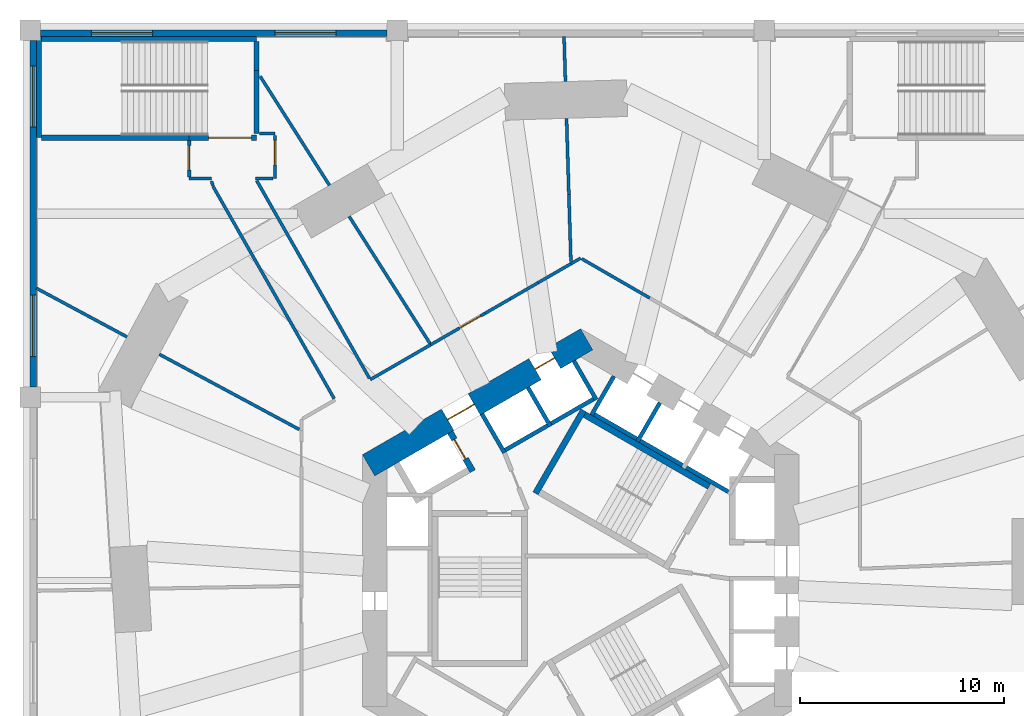
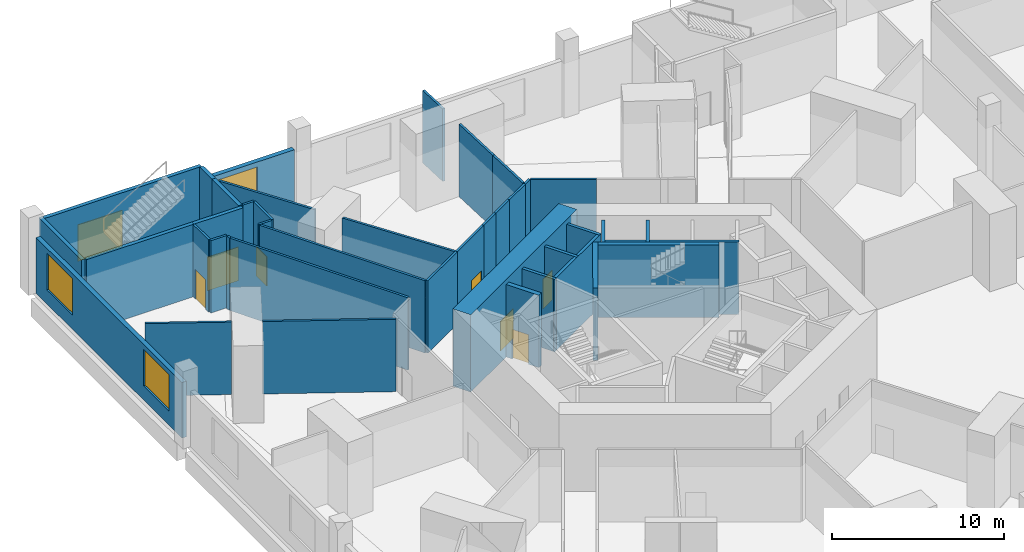
# One storey, part 8 of 16: 41 walls, 7 doors, 4 windows, 11 openings.
"""IFC4 building model written with IfcOpenShell, lengths in metres."""

from ifc_helpers import new_model, si_unit, direction, frame, frame_2d, origin, place, context, subcontext, project, spatial, rectangle, extrude, material, layer, layer_set, type_object, element, fill, save


model = new_model("IFC4")

# Units and contexts
model_context = context("Model", 3, precision=1e-05, world=origin(), true_north=direction((0.0, 1.0)))
body_context = subcontext(model_context, "Body", "Model", "MODEL_VIEW")
ifc_project = project(units=[si_unit("LENGTHUNIT", "METRE"), si_unit("AREAUNIT", "SQUARE_METRE"), si_unit("VOLUMEUNIT", "CUBIC_METRE"), si_unit("PLANEANGLEUNIT", "RADIAN"), si_unit("MASSUNIT", "GRAM", prefix="KILO")], contexts=[model_context])

# Site, building, storey
site_placement = place(None, origin())
site = spatial("IfcSite", under=ifc_project, at=site_placement, CompositionType="ELEMENT")
building_placement = place(site_placement, origin())
building = spatial("IfcBuilding", under=site, at=building_placement, Name="Vanh Sen Convention Tower", CompositionType="ELEMENT")
storey_placement = place(building_placement, frame((0.0, 0.0, 29.0)))
storey = spatial("IfcBuildingStorey", under=building, at=storey_placement, Name="L04", CompositionType="ELEMENT", Elevation=29.0)

# Wall
ifc_material_1 = material(Name="Concrete C40/50", Category="concrete")
ifc_layer_1 = layer(ifc_material_1, 0.25)
ifc_layer_set_1 = layer_set([ifc_layer_1], Name="Concrete C40/50")
wall_type_1 = type_object("IfcWallType", Name="Concrete wall 250 REI 180", PredefinedType="SOLIDWALL", material=ifc_layer_set_1)
wall_1_placement = place(storey_placement, frame((-19.199951171875, 21.72509765625, 0.0), z_axis=(0.0, 0.0, 1.0), x_axis=(-1.0, 0.0, 0.0)))
element("IfcWall", 1, at=wall_1_placement, inside=storey, type_object=wall_type_1, Name="Fire-resisting wall L04-106", PredefinedType="SOLIDWALL", context=body_context, shape_type="SweptSolid", body=[
    extrude(rectangle(XDim=7.239990234375, YDim=0.25, at=frame_2d((3.6201171875, 0.0))), origin(), (0.0, 0.0, 1.0), 5.14990234375),
])

# Wall, opening, door
wall_2_placement = place(storey_placement, frame((-15.89990234375, 21.72509765625, 0.0), z_axis=(0.0, 0.0, 1.0), x_axis=(-1.0, 0.0, 0.0)))
wall_2 = element("IfcWall", 2, at=wall_2_placement, inside=storey, type_object=wall_type_1, Name="Fire-resisting wall L04-107", PredefinedType="SOLIDWALL", context=body_context, shape_type="SweptSolid", body=[
    extrude(rectangle(XDim=3.300048828125, YDim=0.25, at=frame_2d((1.64990234375, 0.0))), origin(), (0.0, 0.0, 1.0), 5.14990234375),
])
opening_1_placement = place(wall_2_placement, frame((0.25, 0.0, 0.0)))
opening_1 = element("IfcOpeningElement", 3, at=opening_1_placement, cuts=wall_2, Name="Opening D04124", PredefinedType="OPENING", context=body_context, shape_type="SweptSolid", body=[
    extrude(rectangle(XDim=2.10009765625, YDim=2.39990234375, at=frame_2d((1.050048828125, 1.199951171875))), frame((0.0, 0.135009765625, 0.0), z_axis=(0.0, -1.0, 0.0), x_axis=(1.0, 0.0, 0.0)), (0.0, 0.0, 1.0), 0.27001953125),
])
ifc_material_2 = material(Name="Steel S355", Category="steel")
door_type_1 = type_object("IfcDoorType", Name="Stair door 2100 EI 60", OperationType="DOUBLE_DOOR_SINGLE_SWING", PredefinedType="DOOR", material=ifc_material_2)
door_1_placement = place(opening_1_placement, frame((2.10009765625, 0.0, 0.0), z_axis=(0.0, 0.0, 1.0), x_axis=(-1.0, 0.0, 0.0)))
door_1 = element("IfcDoor", 4, at=door_1_placement, inside=storey, type_object=door_type_1, Name="Stair door D04124", OperationType="DOUBLE_DOOR_SINGLE_SWING", OverallHeight=2.39990234375, OverallWidth=2.10009765625, PredefinedType="DOOR", context=body_context, shape_type="SweptSolid", body=[
    extrude(rectangle(XDim=2.10009765625, YDim=2.39990234375, at=frame_2d((1.050048828125, 1.199951171875))), frame((0.0, 0.02490234375, 0.0), z_axis=(0.0, -1.0, 0.0), x_axis=(1.0, 0.0, 0.0)), (0.0, 0.0, 1.0), 0.050048828125),
])
fill(opening_1, door_1)

# Walls
wall_3_placement = place(storey_placement, frame((-15.89990234375, 25.021484375, 0.0), z_axis=(0.0, 0.0, 1.0), x_axis=(0.0, -1.0, 0.0)))
element("IfcWall", 5, at=wall_3_placement, inside=storey, type_object=wall_type_1, Name="Fire-resisting wall L04-117", PredefinedType="SOLIDWALL", context=body_context, shape_type="SweptSolid", body=[
    extrude(rectangle(XDim=3.096435546875, YDim=0.25, at=frame_2d((1.54833984375, 0.0))), origin(), (0.0, 0.0, 1.0), 5.14990234375),
])
wall_4_placement = place(storey_placement, frame((-15.89990234375, 26.43994140625, 0.0), z_axis=(0.0, 0.0, 1.0), x_axis=(0.0, -1.0, 0.0)))
element("IfcWall", 6, at=wall_4_placement, inside=storey, type_object=wall_type_1, Name="Fire-resisting wall L04-118", PredefinedType="SOLIDWALL", context=body_context, shape_type="SweptSolid", body=[
    extrude(rectangle(XDim=1.41845703125, YDim=0.25, at=frame_2d((0.709228515625, 0.0))), origin(), (0.0, 0.0, 1.0), 5.14990234375),
])
wall_5_placement = place(storey_placement, frame((-26.574951171875, 21.72509765625, 0.0), z_axis=(0.0, 0.0, 1.0), x_axis=(0.0, 1.0, 0.0)))
element("IfcWall", 7, at=wall_5_placement, inside=storey, type_object=wall_type_1, Name="Stair enclosure wall PS5 L04", PredefinedType="SOLIDWALL", context=body_context, shape_type="SweptSolid", body=[
    extrude(rectangle(XDim=4.974853515625, YDim=0.25, at=frame_2d((2.4873046875, 0.0))), origin(), (0.0, 0.0, 1.0), 5.14990234375),
])
wall_6_placement = place(storey_placement, frame((-26.449951171875, 26.574951171875, 0.0), z_axis=(0.0, 0.0, 1.0), x_axis=(1.0, 0.0, 0.0)))
element("IfcWall", 8, at=wall_6_placement, inside=storey, type_object=wall_type_1, Name="Stair enclosure wall PS5 L04", PredefinedType="SOLIDWALL", context=body_context, shape_type="SweptSolid", body=[
    extrude(rectangle(XDim=10.550048828125, YDim=0.25, at=frame_2d((5.27490234375, 0.0))), origin(), (0.0, 0.0, 1.0), 5.14990234375),
])

# Wall, openings, doors
ifc_material_3 = material(Name="Concrete C80/95", Category="concrete")
ifc_layer_2 = layer(ifc_material_3, 1.199951171875)
ifc_layer_set_2 = layer_set([ifc_layer_2], Name="Concrete C80/95")
wall_type_2 = type_object("IfcWallType", Name="Core outer wall 1200 C80/95", PredefinedType="SHEAR", material=ifc_layer_set_2)
wall_7_placement = place(storey_placement, frame((0.300048828125, 11.835693359375, 0.0), z_axis=(0.0, 0.0, 1.0), x_axis=(-0.866021384402, -0.500006961711, 0.0)))
wall_7 = element("IfcWall", 9, at=wall_7_placement, inside=storey, type_object=wall_type_2, Name="Core wall face NW L04", PredefinedType="SHEAR", context=body_context, shape_type="SweptSolid", body=[
    extrude(rectangle(XDim=12.355224609375, YDim=1.199951171875, at=frame_2d((6.177734375, 0.0))), origin(), (0.0, 0.0, 1.0), 5.5),
])
opening_2_placement = place(wall_7_placement, frame((6.377685546875, 0.0, 0.0)))
opening_2 = element("IfcOpeningElement", 10, at=opening_2_placement, cuts=wall_7, Name="Opening D04002", PredefinedType="OPENING", context=body_context, shape_type="SweptSolid", body=[
    extrude(rectangle(XDim=1.5, YDim=2.10009765625, at=frame_2d((0.75, 1.050048828125))), frame((0.0, 0.60986328125, 0.0), z_axis=(0.0, -1.0, 0.0), x_axis=(1.0, 0.0, 0.0)), (0.0, 0.0, 1.0), 1.219970703125),
])
opening_3_placement = place(wall_7_placement, frame((1.82763671875, 0.0, 0.0)))
opening_3 = element("IfcOpeningElement", 11, at=opening_3_placement, cuts=wall_7, Name="Opening LD-LR6", PredefinedType="OPENING", context=body_context, shape_type="SweptSolid", body=[
    extrude(rectangle(XDim=1.10009765625, YDim=2.10009765625, at=frame_2d((0.550048828125, 1.050048828125))), frame((0.0, 0.60986328125, 0.0), z_axis=(0.0, -1.0, 0.0), x_axis=(1.0, 0.0, 0.0)), (0.0, 0.0, 1.0), 1.219970703125),
])
ifc_material_4 = material(Name="Stainless steel", Category="steel")
door_type_2 = type_object("IfcDoorType", Name="Lift landing door 1100", OperationType="DOUBLE_DOOR_SLIDING", PredefinedType="DOOR", material=ifc_material_4)
door_2_placement = place(opening_3_placement, origin())
door_2 = element("IfcDoor", 12, at=door_2_placement, inside=storey, type_object=door_type_2, Name="Lift LR6 landing door LD-LR6", OperationType="DOUBLE_DOOR_SLIDING", OverallHeight=2.10009765625, OverallWidth=1.10009765625, PredefinedType="DOOR", context=body_context, shape_type="SweptSolid", body=[
    extrude(rectangle(XDim=1.10009765625, YDim=2.10009765625, at=frame_2d((0.550048828125, 1.050048828125))), frame((0.0, 0.02490234375, 0.0), z_axis=(0.0, -1.0, 0.0), x_axis=(1.0, 0.0, 0.0)), (0.0, 0.0, 1.0), 0.050048828125),
])
fill(opening_3, door_2)
ifc_material_5 = material(Name="Steel S355", Category="steel")
door_type_3 = type_object("IfcDoorType", Name="Stair lobby door 1500", OperationType="DOUBLE_DOOR_SINGLE_SWING", PredefinedType="DOOR", material=ifc_material_5)
door_3_placement = place(opening_2_placement, origin())
door_3 = element("IfcDoor", 13, at=door_3_placement, inside=storey, type_object=door_type_3, Name="Stair lobby door D04002", OperationType="DOUBLE_DOOR_SINGLE_SWING", OverallHeight=2.10009765625, OverallWidth=1.5, PredefinedType="DOOR", context=body_context, shape_type="SweptSolid", body=[
    extrude(rectangle(XDim=1.5, YDim=2.10009765625, at=frame_2d((0.75, 1.050048828125))), frame((0.0, 0.02490234375, 0.0), z_axis=(0.0, -1.0, 0.0), x_axis=(1.0, 0.0, 0.0)), (0.0, 0.0, 1.0), 0.050048828125),
])
fill(opening_2, door_3)

# Wall, opening, door
ifc_material_6 = material(Name="Concrete C60/75", Category="concrete")
ifc_layer_3 = layer(ifc_material_6, 0.300048828125)
ifc_layer_set_3 = layer_set([ifc_layer_3], Name="Concrete C60/75")
wall_type_3 = type_object("IfcWallType", Name="Fire-fighting lift shaft wall 300", PredefinedType="SHEAR", material=ifc_layer_set_3)
wall_8_placement = place(storey_placement, frame((-5.29541015625, 5.3720703125, 0.0), z_axis=(0.0, 0.0, 1.0), x_axis=(-0.500077893725, 0.86598042715, 0.0)))
wall_8 = element("IfcWall", 14, at=wall_8_placement, inside=storey, type_object=wall_type_3, Name="Fire-fighting lift shaft wall L04", PredefinedType="SHEAR", context=body_context, shape_type="SweptSolid", body=[
    extrude(rectangle(XDim=2.199951171875, YDim=0.300048828125, at=frame_2d((1.10009765625, 0.0))), origin(), (0.0, 0.0, 1.0), 5.14990234375),
])
opening_4_placement = place(wall_8_placement, frame((0.699951171875, 0.0, 0.0)))
opening_4 = element("IfcOpeningElement", 15, at=opening_4_placement, cuts=wall_8, Name="Opening LD-FF2", PredefinedType="OPENING", context=body_context, shape_type="SweptSolid", body=[
    extrude(rectangle(XDim=1.10009765625, YDim=2.10009765625, at=frame_2d((0.550048828125, 1.050048828125))), frame((0.0, 0.159912109375, 0.0), z_axis=(0.0, -1.0, 0.0), x_axis=(1.0, 0.0, 0.0)), (0.0, 0.0, 1.0), 0.320068359375),
])
door_type_4 = type_object("IfcDoorType", Name="Fire-fighting lift landing door 1100", OperationType="DOUBLE_DOOR_SLIDING", PredefinedType="DOOR", material=ifc_material_4)
door_4_placement = place(opening_4_placement, origin())
door_4 = element("IfcDoor", 16, at=door_4_placement, inside=storey, type_object=door_type_4, Name="Lift FF2 landing door LD-FF2", OperationType="DOUBLE_DOOR_SLIDING", OverallHeight=2.10009765625, OverallWidth=1.10009765625, PredefinedType="DOOR", context=body_context, shape_type="SweptSolid", body=[
    extrude(rectangle(XDim=1.10009765625, YDim=2.10009765625, at=frame_2d((0.550048828125, 1.050048828125))), frame((0.0, 0.02490234375, 0.0), z_axis=(0.0, -1.0, 0.0), x_axis=(1.0, 0.0, 0.0)), (0.0, 0.0, 1.0), 0.050048828125),
])
fill(opening_4, door_4)

# Walls
ifc_layer_4 = layer(ifc_material_1, 0.199951171875)
ifc_layer_set_4 = layer_set([ifc_layer_4], Name="Concrete C40/50")
wall_type_4 = type_object("IfcWallType", Name="Lift shaft wall 200", PredefinedType="PARTITIONING", material=ifc_layer_set_4)
wall_9_placement = place(storey_placement, frame((7.423828125, 4.258544921875, 0.0), z_axis=(0.0, 0.0, 1.0), x_axis=(-0.866026010844, 0.49999894854, 0.0)))
element("IfcWall", 17, at=wall_9_placement, inside=storey, type_object=wall_type_4, Name="Lift shaft wall L04", PredefinedType="PARTITIONING", context=body_context, shape_type="SweptSolid", body=[
    extrude(rectangle(XDim=8.0, YDim=0.199951171875, at=frame_2d((4.0, 0.0))), origin(), (0.0, 0.0, 1.0), 5.14990234375),
])
for number, where, z_axis, x_axis, name in (
    (18, (2.783935546875, 6.822021484375, 0.0), (0.0, 0.0, 1.0), (0.50002983664, 0.866008176907, 0.0), "Lift shaft wall L04"),
    (19, (0.5322265625, 8.1220703125, 0.0), (0.0, 0.0, 1.0), (0.500077893725, 0.86598042715, 0.0), "Lift shaft wall L04"),
):
    element("IfcWall", number, at=place(storey_placement, frame(where, z_axis=z_axis, x_axis=x_axis)), inside=storey, type_object=wall_type_4, Name=name, PredefinedType="PARTITIONING", context=body_context, shape_type="SweptSolid", body=[
        extrude(rectangle(XDim=2.199951171875, YDim=0.199951171875, at=frame_2d((1.10009765625, 0.0))), origin(), (0.0, 0.0, 1.0), 5.14990234375),
    ])
wall_10_placement = place(storey_placement, frame((0.80322265625, 9.008544921875, 0.0), z_axis=(0.0, 0.0, 1.0), x_axis=(-0.866028230842, -0.499995103361, 0.0)))
element("IfcWall", 20, at=wall_10_placement, inside=storey, type_object=wall_type_4, Name="Lift shaft wall L04", PredefinedType="PARTITIONING", context=body_context, shape_type="SweptSolid", body=[
    extrude(rectangle(XDim=5.39990234375, YDim=0.199951171875, at=frame_2d((2.699951171875, 0.0))), origin(), (0.0, 0.0, 1.0), 5.14990234375),
])
wall_11_placement = place(storey_placement, frame((0.7666015625, 8.8720703125, 0.0), z_axis=(0.0, 0.0, 1.0), x_axis=(-0.499994660107, 0.866028486751, 0.0)))
element("IfcWall", 21, at=wall_11_placement, inside=storey, type_object=wall_type_4, Name="Lift shaft wall L04", PredefinedType="PARTITIONING", context=body_context, shape_type="SweptSolid", body=[
    extrude(rectangle(XDim=2.19970703125, YDim=0.199951171875, at=frame_2d((1.099853515625, 0.0))), origin(), (0.0, 0.0, 1.0), 5.14990234375),
])
for number, where, z_axis, x_axis, name in (
    (22, (-1.48486328125, 7.572021484375, 0.0), (0.0, 0.0, 1.0), (-0.50002983664, 0.866008176907, 0.0), "Lift shaft wall L04"),
    (23, (-3.736572265625, 6.27197265625, 0.0), (0.0, 0.0, 1.0), (-0.50002983664, 0.866008176907, 0.0), "Lift shaft wall L04"),
):
    element("IfcWall", number, at=place(storey_placement, frame(where, z_axis=z_axis, x_axis=x_axis)), inside=storey, type_object=wall_type_4, Name=name, PredefinedType="PARTITIONING", context=body_context, shape_type="SweptSolid", body=[
        extrude(rectangle(XDim=2.199951171875, YDim=0.199951171875, at=frame_2d((1.10009765625, 0.0))), origin(), (0.0, 0.0, 1.0), 5.14990234375),
    ])
ifc_material_7 = material(Name="Gypsum board on steel studs", Category="steel")
ifc_layer_5 = layer(ifc_material_7, 0.14990234375)
ifc_layer_set_5 = layer_set([ifc_layer_5], Name="Gypsum board on steel studs")
wall_type_5 = type_object("IfcWallType", Name="Partition 150 EI 60", PredefinedType="PARTITIONING", material=ifc_layer_set_5)
wall_12_placement = place(storey_placement, frame((-13.8056640625, 7.418212890625, 0.0), z_axis=(0.0, 0.0, 1.0), x_axis=(-0.880891557551, 0.473318142305, 0.0)))
element("IfcWall", 24, at=wall_12_placement, inside=storey, type_object=wall_type_5, Name="Partition L04-060", PredefinedType="PARTITIONING", context=body_context, shape_type="SweptSolid", body=[
    extrude(rectangle(XDim=7.787109375, YDim=0.14990234375, at=frame_2d((3.8935546875, 0.0))), origin(), (0.0, 0.0, 1.0), 5.14990234375),
])
wall_13_placement = place(storey_placement, frame((-12.092041015625, 8.929931640625, 0.0), z_axis=(0.0, 0.0, 1.0), x_axis=(-0.495564220718, 0.868571299977, 0.0)))
element("IfcWall", 25, at=wall_13_placement, inside=storey, type_object=wall_type_5, Name="Partition L04-064", PredefinedType="PARTITIONING", context=body_context, shape_type="SweptSolid", body=[
    extrude(rectangle(XDim=11.98828125, YDim=0.14990234375, at=frame_2d((5.994140625, 0.0))), origin(), (0.0, 0.0, 1.0), 5.14990234375),
])
wall_14_placement = place(storey_placement, frame((-10.320556640625, 9.860595703125, 0.0), z_axis=(0.0, 0.0, 1.0), x_axis=(0.865970719175, 0.500094704563, 0.0)))
element("IfcWall", 26, at=wall_14_placement, inside=storey, type_object=wall_type_5, Name="Partition L04-067", PredefinedType="PARTITIONING", context=body_context, shape_type="SweptSolid", body=[
    extrude(rectangle(XDim=3.425048828125, YDim=0.14990234375, at=frame_2d((1.71240234375, 0.0))), origin(), (0.0, 0.0, 1.0), 5.14990234375),
])

# Wall, opening, door
wall_15_placement = place(storey_placement, frame((-7.3544921875, 11.573486328125, 0.0), z_axis=(0.0, 0.0, 1.0), x_axis=(0.866051051954, 0.499955573435, 0.0)))
wall_15 = element("IfcWall", 27, at=wall_15_placement, inside=storey, type_object=wall_type_5, Name="Partition L04-070", PredefinedType="PARTITIONING", context=body_context, shape_type="SweptSolid", body=[
    extrude(rectangle(XDim=3.082275390625, YDim=0.14990234375, at=frame_2d((1.541015625, 0.0))), origin(), (0.0, 0.0, 1.0), 5.14990234375),
])
opening_5_placement = place(wall_15_placement, frame((1.63232421875, 0.0, 0.0)))
opening_5 = element("IfcOpeningElement", 28, at=opening_5_placement, cuts=wall_15, Name="Opening D04119", PredefinedType="OPENING", context=body_context, shape_type="SweptSolid", body=[
    extrude(rectangle(XDim=1.199951171875, YDim=2.10009765625, at=frame_2d((0.60009765625, 1.050048828125))), frame((0.0, 0.0849609375, 0.0), z_axis=(0.0, -1.0, 0.0), x_axis=(1.0, 0.0, 0.0)), (0.0, 0.0, 1.0), 0.169921875),
])
ifc_material_8 = material(Name="Timber door in steel frame", Category="steel")
door_type_5 = type_object("IfcDoorType", Name="Room door 1200 EI 30", OperationType="SINGLE_SWING_LEFT", PredefinedType="DOOR", material=ifc_material_8)
door_5_placement = place(opening_5_placement, origin())
door_5 = element("IfcDoor", 29, at=door_5_placement, inside=storey, type_object=door_type_5, Name="Room door D04119", OperationType="SINGLE_SWING_LEFT", OverallHeight=2.10009765625, OverallWidth=1.199951171875, PredefinedType="DOOR", context=body_context, shape_type="SweptSolid", body=[
    extrude(rectangle(XDim=1.199951171875, YDim=2.10009765625, at=frame_2d((0.60009765625, 1.050048828125))), frame((0.0, 0.02490234375, 0.0), z_axis=(0.0, -1.0, 0.0), x_axis=(1.0, 0.0, 0.0)), (0.0, 0.0, 1.0), 0.050048828125),
])
fill(opening_5, door_5)

# Walls
wall_16_placement = place(storey_placement, frame((-7.3974609375, 11.64111328125, 0.0), z_axis=(0.0, 0.0, 1.0), x_axis=(-0.536312130721, 0.844019726334, 0.0)))
element("IfcWall", 30, at=wall_16_placement, inside=storey, type_object=wall_type_5, Name="Partition L04-071", PredefinedType="PARTITIONING", context=body_context, shape_type="SweptSolid", body=[
    extrude(rectangle(XDim=7.37646484375, YDim=0.14990234375, at=frame_2d((3.688232421875, 0.0))), origin(), (0.0, 0.0, 1.0), 5.14990234375),
])
wall_17_placement = place(storey_placement, frame((-22.2509765625, 11.9560546875, 0.0), z_axis=(0.0, 0.0, 1.0), x_axis=(-0.880902248523, 0.473298244817, 0.0)))
element("IfcWall", 31, at=wall_17_placement, inside=storey, type_object=wall_type_5, Name="Partition L04-074", PredefinedType="PARTITIONING", context=body_context, shape_type="SweptSolid", body=[
    extrude(rectangle(XDim=5.050537109375, YDim=0.14990234375, at=frame_2d((2.525390625, 0.0))), origin(), (0.0, 0.0, 1.0), 5.14990234375),
])
wall_18_placement = place(storey_placement, frame((-3.459716796875, 13.822021484375, 0.0), z_axis=(0.0, 0.0, 1.0), x_axis=(-0.866004557827, -0.500036104519, 0.0)))
element("IfcWall", 32, at=wall_18_placement, inside=storey, type_object=wall_type_5, Name="Partition L04-079", PredefinedType="PARTITIONING", context=body_context, shape_type="SweptSolid", body=[
    extrude(rectangle(XDim=1.4150390625, YDim=0.14990234375, at=frame_2d((0.70751953125, 0.0))), origin(), (0.0, 0.0, 1.0), 5.14990234375),
])
wall_19_placement = place(storey_placement, frame((3.385986328125, 13.864501953125, 0.0), z_axis=(0.0, 0.0, 1.0), x_axis=(-0.866006051527, 0.500033517596, 0.0)))
element("IfcWall", 33, at=wall_19_placement, inside=storey, type_object=wall_type_5, Name="Partition L04-080", PredefinedType="PARTITIONING", context=body_context, shape_type="SweptSolid", body=[
    extrude(rectangle(XDim=3.849853515625, YDim=0.14990234375, at=frame_2d((1.9248046875, 0.0))), origin(), (0.0, 0.0, 1.0), 5.14990234375),
])
wall_20_placement = place(storey_placement, frame((-2.0869140625, 14.614501953125, 0.0), z_axis=(0.0, 0.0, 1.0), x_axis=(-0.866054784643, -0.499949107407, 0.0)))
element("IfcWall", 34, at=wall_20_placement, inside=storey, type_object=wall_type_5, Name="Partition L04-081", PredefinedType="PARTITIONING", context=body_context, shape_type="SweptSolid", body=[
    extrude(rectangle(XDim=1.585205078125, YDim=0.14990234375, at=frame_2d((0.79248046875, 0.0))), origin(), (0.0, 0.0, 1.0), 5.14990234375),
])
wall_21_placement = place(storey_placement, frame((-2.0869140625, 14.614501953125, 0.0), z_axis=(0.0, 0.0, 1.0), x_axis=(0.866006459158, 0.500032811619, 0.0)))
element("IfcWall", 35, at=wall_21_placement, inside=storey, type_object=wall_type_5, Name="Partition L04-082", PredefinedType="PARTITIONING", context=body_context, shape_type="SweptSolid", body=[
    extrude(rectangle(XDim=1.861083984375, YDim=0.14990234375, at=frame_2d((0.9306640625, 0.0))), origin(), (0.0, 0.0, 1.0), 5.14990234375),
])
wall_22_placement = place(storey_placement, frame((-0.47509765625, 15.545166015625, 0.0), z_axis=(0.0, 0.0, 1.0), x_axis=(0.865933599817, 0.500158975434, 0.0)))
element("IfcWall", 36, at=wall_22_placement, inside=storey, type_object=wall_type_5, Name="Partition L04-083", PredefinedType="PARTITIONING", context=body_context, shape_type="SweptSolid", body=[
    extrude(rectangle(XDim=0.548583984375, YDim=0.14990234375, at=frame_2d((0.2744140625, 0.0))), origin(), (0.0, 0.0, 1.0), 5.14990234375),
])
wall_23_placement = place(storey_placement, frame((-0.5791015625, 18.945556640625, 0.0), z_axis=(0.0, 0.0, 1.0), x_axis=(0.030572886356, -0.999532540051, 0.0)))
element("IfcWall", 37, at=wall_23_placement, inside=storey, type_object=wall_type_5, Name="Partition L04-087", PredefinedType="PARTITIONING", context=body_context, shape_type="SweptSolid", body=[
    extrude(rectangle(XDim=3.281982421875, YDim=0.14990234375, at=frame_2d((1.64111328125, 0.0))), origin(), (0.0, 0.0, 1.0), 5.14990234375),
])
wall_24_placement = place(storey_placement, frame((-0.5791015625, 18.945556640625, 0.0), z_axis=(0.0, 0.0, 1.0), x_axis=(-0.030471255388, 0.999535643484, 0.0)))
element("IfcWall", 38, at=wall_24_placement, inside=storey, type_object=wall_type_5, Name="Partition L04-088", PredefinedType="PARTITIONING", context=body_context, shape_type="SweptSolid", body=[
    extrude(rectangle(XDim=3.733642578125, YDim=0.14990234375, at=frame_2d((1.86669921875, 0.0))), origin(), (0.0, 0.0, 1.0), 5.14990234375),
])
wall_25_placement = place(storey_placement, frame((-18.0380859375, 19.36181640625, 0.0), z_axis=(0.0, 0.0, 1.0), x_axis=(-0.257536433885, 0.966268588552, 0.0)))
element("IfcWall", 39, at=wall_25_placement, inside=storey, type_object=wall_type_5, Name="Partition L04-089", PredefinedType="PARTITIONING", context=body_context, shape_type="SweptSolid", body=[
    extrude(rectangle(XDim=0.24072265625, YDim=0.14990234375, at=frame_2d((0.120361328125, 0.0))), origin(), (0.0, 0.0, 1.0), 5.14990234375),
])
wall_26_placement = place(storey_placement, frame((-12.31982421875, 19.387451171875, 0.0), z_axis=(0.0, 0.0, 1.0), x_axis=(-0.536309341483, 0.844021498682, 0.0)))
element("IfcWall", 40, at=wall_26_placement, inside=storey, type_object=wall_type_5, Name="Partition L04-091", PredefinedType="PARTITIONING", context=body_context, shape_type="SweptSolid", body=[
    extrude(rectangle(XDim=6.33544921875, YDim=0.14990234375, at=frame_2d((3.167724609375, 0.0))), origin(), (0.0, 0.0, 1.0), 5.14990234375),
])
wall_27_placement = place(storey_placement, frame((-15.888916015625, 19.620849609375, 0.0), z_axis=(0.0, 0.0, 1.0), x_axis=(0.495540263005, -0.868584968636, 0.0)))
element("IfcWall", 41, at=wall_27_placement, inside=storey, type_object=wall_type_5, Name="Partition L04-095", PredefinedType="PARTITIONING", context=body_context, shape_type="SweptSolid", body=[
    extrude(rectangle(XDim=11.1572265625, YDim=0.14990234375, at=frame_2d((5.57861328125, 0.0))), origin(), (0.0, 0.0, 1.0), 5.14990234375),
])
wall_28_placement = place(storey_placement, frame((-18.10009765625, 19.72509765625, 0.0), z_axis=(0.0, 0.0, 1.0), x_axis=(-1.0, 0.0, 0.0)))
element("IfcWall", 42, at=wall_28_placement, inside=storey, type_object=wall_type_5, Name="Partition L04-098", PredefinedType="PARTITIONING", context=body_context, shape_type="SweptSolid", body=[
    extrude(rectangle(XDim=1.099853515625, YDim=0.14990234375, at=frame_2d((0.5498046875, 0.0))), origin(), (0.0, 0.0, 1.0), 5.14990234375),
])
wall_29_placement = place(storey_placement, frame((-15.080078125, 19.72509765625, 0.0), z_axis=(0.0, 0.0, 1.0), x_axis=(-1.0, 0.0, 0.0)))
element("IfcWall", 43, at=wall_29_placement, inside=storey, type_object=wall_type_5, Name="Partition L04-099", PredefinedType="PARTITIONING", context=body_context, shape_type="SweptSolid", body=[
    extrude(rectangle(XDim=0.868408203125, YDim=0.14990234375, at=frame_2d((0.43408203125, 0.0))), origin(), (0.0, 0.0, 1.0), 5.14990234375),
])

# Wall, opening, door
wall_30_placement = place(storey_placement, frame((-19.199951171875, 19.804931640625, 0.0), z_axis=(0.0, 0.0, 1.0), x_axis=(0.0, 1.0, 0.0)))
wall_30 = element("IfcWall", 44, at=wall_30_placement, inside=storey, type_object=wall_type_5, Name="Partition L04-102", PredefinedType="PARTITIONING", context=body_context, shape_type="SweptSolid", body=[
    extrude(rectangle(XDim=1.780029296875, YDim=0.14990234375, at=frame_2d((0.89013671875, 0.0))), origin(), (0.0, 0.0, 1.0), 5.14990234375),
])
opening_6_placement = place(wall_30_placement, frame((0.330078125, 0.0, 0.0)))
opening_6 = element("IfcOpeningElement", 45, at=opening_6_placement, cuts=wall_30, Name="Opening D04123", PredefinedType="OPENING", context=body_context, shape_type="SweptSolid", body=[
    extrude(rectangle(XDim=1.199951171875, YDim=2.10009765625, at=frame_2d((0.60009765625, 1.050048828125))), frame((0.0, 0.0849609375, 0.0), z_axis=(0.0, -1.0, 0.0), x_axis=(1.0, 0.0, 0.0)), (0.0, 0.0, 1.0), 0.169921875),
])
door_6_placement = place(opening_6_placement, origin())
door_6 = element("IfcDoor", 46, at=door_6_placement, inside=storey, type_object=door_type_5, Name="Room door D04123", OperationType="SINGLE_SWING_LEFT", OverallHeight=2.10009765625, OverallWidth=1.199951171875, PredefinedType="DOOR", context=body_context, shape_type="SweptSolid", body=[
    extrude(rectangle(XDim=1.199951171875, YDim=2.10009765625, at=frame_2d((0.60009765625, 1.050048828125))), frame((0.0, 0.02490234375, 0.0), z_axis=(0.0, -1.0, 0.0), x_axis=(1.0, 0.0, 0.0)), (0.0, 0.0, 1.0), 0.050048828125),
])
fill(opening_6, door_6)

wall_31_placement = place(storey_placement, frame((-15.0, 21.844970703125, 0.0), z_axis=(0.0, 0.0, 1.0), x_axis=(0.0, -1.0, 0.0)))
wall_31 = element("IfcWall", 47, at=wall_31_placement, inside=storey, type_object=wall_type_5, Name="Partition L04-111", PredefinedType="PARTITIONING", context=body_context, shape_type="SweptSolid", body=[
    extrude(rectangle(XDim=2.119873046875, YDim=0.14990234375, at=frame_2d((1.06005859375, 0.0))), origin(), (0.0, 0.0, 1.0), 5.14990234375),
])
opening_7_placement = place(wall_31_placement, frame((0.25, 0.0, 0.0)))
opening_7 = element("IfcOpeningElement", 48, at=opening_7_placement, cuts=wall_31, Name="Opening D04127", PredefinedType="OPENING", context=body_context, shape_type="SweptSolid", body=[
    extrude(rectangle(XDim=1.199951171875, YDim=2.10009765625, at=frame_2d((0.60009765625, 1.050048828125))), frame((0.0, 0.0849609375, 0.0), z_axis=(0.0, -1.0, 0.0), x_axis=(1.0, 0.0, 0.0)), (0.0, 0.0, 1.0), 0.169921875),
])
door_7_placement = place(opening_7_placement, origin())
door_7 = element("IfcDoor", 49, at=door_7_placement, inside=storey, type_object=door_type_5, Name="Room door D04127", OperationType="SINGLE_SWING_LEFT", OverallHeight=2.10009765625, OverallWidth=1.199951171875, PredefinedType="DOOR", context=body_context, shape_type="SweptSolid", body=[
    extrude(rectangle(XDim=1.199951171875, YDim=2.10009765625, at=frame_2d((0.60009765625, 1.050048828125))), frame((0.0, 0.02490234375, 0.0), z_axis=(0.0, -1.0, 0.0), x_axis=(1.0, 0.0, 0.0)), (0.0, 0.0, 1.0), 0.050048828125),
])
fill(opening_7, door_7)

# Walls
wall_32_placement = place(storey_placement, frame((-15.760009765625, 21.925048828125, 0.0), z_axis=(0.0, 0.0, 1.0), x_axis=(1.0, 0.0, 0.0)))
element("IfcWall", 50, at=wall_32_placement, inside=storey, type_object=wall_type_5, Name="Partition L04-112", PredefinedType="PARTITIONING", context=body_context, shape_type="SweptSolid", body=[
    extrude(rectangle(XDim=0.760009765625, YDim=0.14990234375, at=frame_2d((0.3798828125, 0.0))), origin(), (0.0, 0.0, 1.0), 5.14990234375),
])
wall_33_placement = place(storey_placement, frame((-0.747802734375, 24.476806640625, 0.0), z_axis=(0.0, 0.0, 1.0), x_axis=(-0.030405439098, 0.999537647752, 0.0)))
element("IfcWall", 51, at=wall_33_placement, inside=storey, type_object=wall_type_5, Name="Partition L04-116", PredefinedType="PARTITIONING", context=body_context, shape_type="SweptSolid", body=[
    extrude(rectangle(XDim=2.22412109375, YDim=0.14990234375, at=frame_2d((1.112060546875, 0.0))), origin(), (0.0, 0.0, 1.0), 5.14990234375),
])

# Wall, openings, windows
ifc_material_9 = material(Name="Concrete C50/60", Category="concrete")
ifc_layer_6 = layer(ifc_material_9, 0.300048828125)
ifc_layer_set_6 = layer_set([ifc_layer_6], Name="Concrete C50/60")
wall_type_6 = type_object("IfcWallType", Name="Podium wall 300", PredefinedType="STANDARD", material=ifc_layer_set_6)
wall_34_placement = place(storey_placement, frame((-9.5, 26.85009765625, 0.0), z_axis=(0.0, 0.0, 1.0), x_axis=(-1.0, 0.0, 0.0)))
wall_34 = element("IfcWall", 52, at=wall_34_placement, inside=storey, type_object=wall_type_6, Name="Podium wall N4 L04", PredefinedType="STANDARD", context=body_context, shape_type="SweptSolid", body=[
    extrude(rectangle(XDim=17.0, YDim=0.300048828125, at=frame_2d((8.5, 0.0))), origin(), (0.0, 0.0, 1.0), 3.949951171875),
])
opening_8_placement = place(wall_34_placement, frame((2.5, 0.0, 1.0)))
opening_8 = element("IfcOpeningElement", 53, at=opening_8_placement, cuts=wall_34, Name="Opening WP2-N7", PredefinedType="OPENING", context=body_context, shape_type="SweptSolid", body=[
    extrude(rectangle(XDim=3.0, YDim=2.60009765625, at=frame_2d((1.5, 1.300048828125))), frame((0.0, 0.159912109375, 0.0), z_axis=(0.0, -1.0, 0.0), x_axis=(1.0, 0.0, 0.0)), (0.0, 0.0, 1.0), 0.320068359375),
])
opening_9_placement = place(wall_34_placement, frame((11.5, 0.0, 1.0)))
opening_9 = element("IfcOpeningElement", 54, at=opening_9_placement, cuts=wall_34, Name="Opening WP2-N8", PredefinedType="OPENING", context=body_context, shape_type="SweptSolid", body=[
    extrude(rectangle(XDim=3.0, YDim=2.60009765625, at=frame_2d((1.5, 1.300048828125))), frame((0.0, 0.159912109375, 0.0), z_axis=(0.0, -1.0, 0.0), x_axis=(1.0, 0.0, 0.0)), (0.0, 0.0, 1.0), 0.320068359375),
])
ifc_material_10 = material(Name="Aluminium frame with clear low-emissivity glass", Category="aluminium")
window_type = type_object("IfcWindowType", Name="Podium window 3000 x 2600", PartitioningType="SINGLE_PANEL", PredefinedType="WINDOW", material=ifc_material_10)
window_1_placement = place(opening_8_placement, origin())
window_1 = element("IfcWindow", 55, at=window_1_placement, inside=storey, type_object=window_type, Name="Window WP2-N7", OverallHeight=2.60009765625, OverallWidth=3.0, PartitioningType="SINGLE_PANEL", PredefinedType="WINDOW", context=body_context, shape_type="SweptSolid", body=[
    extrude(rectangle(XDim=3.0, YDim=2.60009765625, at=frame_2d((1.5, 1.300048828125))), frame((0.0, 0.030029296875, 0.0), z_axis=(0.0, -1.0, 0.0), x_axis=(1.0, 0.0, 0.0)), (0.0, 0.0, 1.0), 0.06005859375),
])
fill(opening_8, window_1)
window_2_placement = place(opening_9_placement, origin())
window_2 = element("IfcWindow", 56, at=window_2_placement, inside=storey, type_object=window_type, Name="Window WP2-N8", OverallHeight=2.60009765625, OverallWidth=3.0, PartitioningType="SINGLE_PANEL", PredefinedType="WINDOW", context=body_context, shape_type="SweptSolid", body=[
    extrude(rectangle(XDim=3.0, YDim=2.60009765625, at=frame_2d((1.5, 1.300048828125))), frame((0.0, 0.030029296875, 0.0), z_axis=(0.0, -1.0, 0.0), x_axis=(1.0, 0.0, 0.0)), (0.0, 0.0, 1.0), 0.06005859375),
])
fill(opening_9, window_2)

wall_35_placement = place(storey_placement, frame((-26.85009765625, 26.5, 0.0), z_axis=(0.0, 0.0, 1.0), x_axis=(0.0, -1.0, 0.0)))
wall_35 = element("IfcWall", 57, at=wall_35_placement, inside=storey, type_object=wall_type_6, Name="Podium wall W1 L04", PredefinedType="STANDARD", context=body_context, shape_type="SweptSolid", body=[
    extrude(rectangle(XDim=17.0, YDim=0.300048828125, at=frame_2d((8.5, 0.0))), origin(), (0.0, 0.0, 1.0), 3.949951171875),
])
opening_10_placement = place(wall_35_placement, frame((1.25, 0.0, 1.0)))
opening_10 = element("IfcOpeningElement", 58, at=opening_10_placement, cuts=wall_35, Name="Opening WP2-W1", PredefinedType="OPENING", context=body_context, shape_type="SweptSolid", body=[
    extrude(rectangle(XDim=3.0, YDim=2.60009765625, at=frame_2d((1.5, 1.300048828125))), frame((0.0, 0.159912109375, 0.0), z_axis=(0.0, -1.0, 0.0), x_axis=(1.0, 0.0, 0.0)), (0.0, 0.0, 1.0), 0.320068359375),
])
opening_11_placement = place(wall_35_placement, frame((12.5, 0.0, 1.0)))
opening_11 = element("IfcOpeningElement", 59, at=opening_11_placement, cuts=wall_35, Name="Opening WP2-W2", PredefinedType="OPENING", context=body_context, shape_type="SweptSolid", body=[
    extrude(rectangle(XDim=3.0, YDim=2.60009765625, at=frame_2d((1.5, 1.300048828125))), frame((0.0, 0.159912109375, 0.0), z_axis=(0.0, -1.0, 0.0), x_axis=(1.0, 0.0, 0.0)), (0.0, 0.0, 1.0), 0.320068359375),
])
window_3_placement = place(opening_10_placement, origin())
window_3 = element("IfcWindow", 60, at=window_3_placement, inside=storey, type_object=window_type, Name="Window WP2-W1", OverallHeight=2.60009765625, OverallWidth=3.0, PartitioningType="SINGLE_PANEL", PredefinedType="WINDOW", context=body_context, shape_type="SweptSolid", body=[
    extrude(rectangle(XDim=3.0, YDim=2.60009765625, at=frame_2d((1.5, 1.300048828125))), frame((0.0, 0.030029296875, 0.0), z_axis=(0.0, -1.0, 0.0), x_axis=(1.0, 0.0, 0.0)), (0.0, 0.0, 1.0), 0.06005859375),
])
fill(opening_10, window_3)
window_4_placement = place(opening_11_placement, origin())
window_4 = element("IfcWindow", 61, at=window_4_placement, inside=storey, type_object=window_type, Name="Window WP2-W2", OverallHeight=2.60009765625, OverallWidth=3.0, PartitioningType="SINGLE_PANEL", PredefinedType="WINDOW", context=body_context, shape_type="SweptSolid", body=[
    extrude(rectangle(XDim=3.0, YDim=2.60009765625, at=frame_2d((1.5, 1.300048828125))), frame((0.0, 0.030029296875, 0.0), z_axis=(0.0, -1.0, 0.0), x_axis=(1.0, 0.0, 0.0)), (0.0, 0.0, 1.0), 0.06005859375),
])
fill(opening_11, window_4)

# Walls
ifc_layer_7 = layer(ifc_material_6, 0.300048828125)
ifc_layer_set_7 = layer_set([ifc_layer_7], Name="Concrete C60/75")
wall_type_7 = type_object("IfcWallType", Name="Stair wall 300", PredefinedType="SHEAR", material=ifc_layer_set_7)
wall_36_placement = place(storey_placement, frame((-2.216064453125, 4.28173828125, 0.0), z_axis=(0.0, 0.0, 1.0), x_axis=(0.499977259774, 0.866038532462, 0.0)))
element("IfcWall", 62, at=wall_36_placement, inside=storey, type_object=wall_type_7, Name="Stair wall L04", PredefinedType="SHEAR", context=body_context, shape_type="SweptSolid", body=[
    extrude(rectangle(XDim=4.699951171875, YDim=0.300048828125, at=frame_2d((2.35009765625, 0.0))), origin(), (0.0, 0.0, 1.0), 5.14990234375),
])
wall_37_placement = place(storey_placement, frame((6.302978515625, 4.6171875, 0.0), z_axis=(0.0, 0.0, 1.0), x_axis=(-0.866027801685, 0.499995846692, 0.0)))
element("IfcWall", 63, at=wall_37_placement, inside=storey, type_object=wall_type_7, Name="Stair wall L04", PredefinedType="SHEAR", context=body_context, shape_type="SweptSolid", body=[
    extrude(rectangle(XDim=7.06005859375, YDim=0.300048828125, at=frame_2d((3.530029296875, 0.0))), origin(), (0.0, 0.0, 1.0), 5.14990234375),
])

save(model, "model.ifc")
